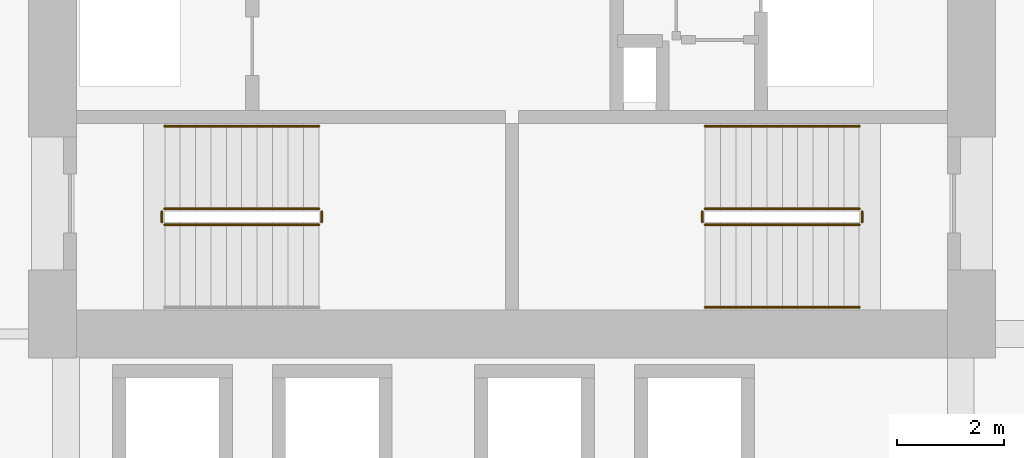
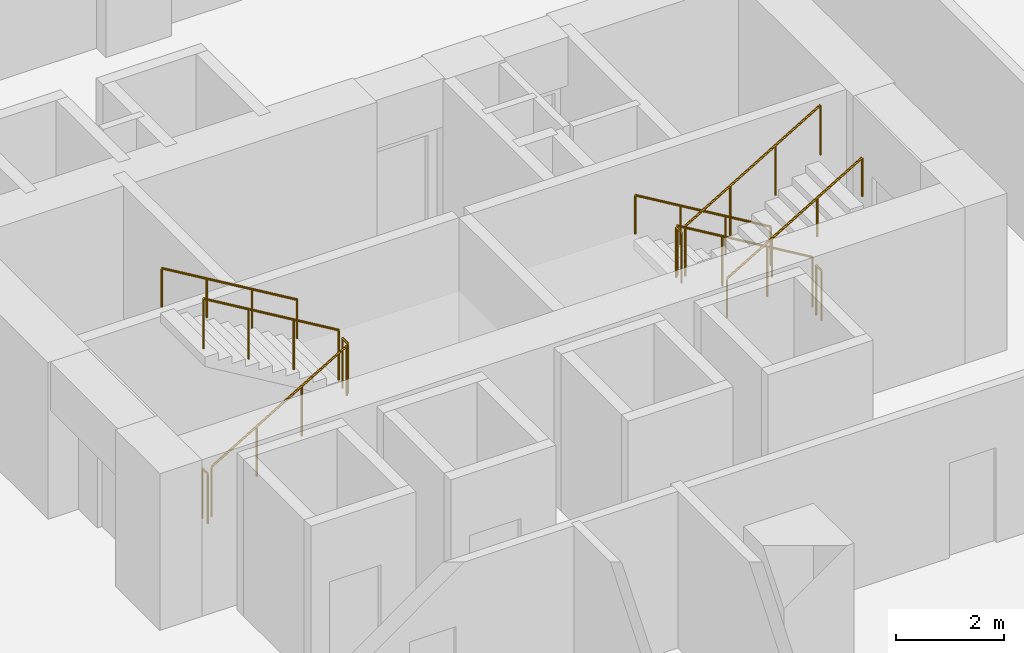
# One storey, part 24 of 26: 11 railings.
"""IFC4 building model written with IfcOpenShell, lengths in metres."""

from ifc_helpers import new_model, si_unit, direction, frame, origin, origin_2d, place, context, subcontext, project, spatial, circle, extrude, material, type_object, element, save


model = new_model("IFC4")

# Units and contexts
model_context = context("Model", 3, precision=1e-05, world=origin(), true_north=direction((0.0, 1.0)))
body_context = subcontext(model_context, "Body", "Model", "MODEL_VIEW")
ifc_project = project(units=[si_unit("LENGTHUNIT", "METRE"), si_unit("AREAUNIT", "SQUARE_METRE"), si_unit("VOLUMEUNIT", "CUBIC_METRE"), si_unit("PLANEANGLEUNIT", "RADIAN"), si_unit("MASSUNIT", "GRAM", prefix="KILO")], contexts=[model_context])

# Site, building, storey
site_placement = place(None, origin())
site = spatial("IfcSite", under=ifc_project, at=site_placement, CompositionType="ELEMENT")
building_placement = place(site_placement, origin())
building = spatial("IfcBuilding", under=site, at=building_placement, Name="Koriwani Terraces Tower", CompositionType="ELEMENT")
storey_placement = place(building_placement, frame((0.0, 0.0, 39.60009765625)))
storey = spatial("IfcBuildingStorey", under=building, at=storey_placement, Name="L08", CompositionType="ELEMENT", Elevation=39.60009765625)

# Railings
ifc_material = material(Name="Steel ASTM A572 Grade 50", Category="steel")
railing_type_1 = type_object("IfcRailingType", Name="GUARD_STAIR_WELL_1120", PredefinedType="GUARDRAIL", material=ifc_material)
railing_1_placement = place(storey_placement, frame((43.85009765625, 18.85009765625, 0.172607421875)))
element("IfcRailing", 1, at=railing_1_placement, inside=storey, type_object=railing_type_1, Name="L08 ST-E1 stair guard 1", PredefinedType="GUARDRAIL", context=body_context, shape_type="SweptSolid", body=[
    extrude(circle(Radius=0.02392578125, at=origin_2d()), frame((0.0, 0.0, 1.1259765625), z_axis=(0.859141464434, 0.0, 0.511738159696), x_axis=(0.0, 1.0, 0.0)), (0.0, 0.0, 1.0), 3.375244140625),
    extrude(circle(Radius=0.02099609375, at=origin_2d()), origin(), (0.0, 0.0, 1.0), 1.101806640625),
    extrude(circle(Radius=0.02099609375, at=origin_2d()), frame((0.966552734375, 0.0, 0.57568359375)), (0.0, 0.0, 1.0), 1.101806640625),
    extrude(circle(Radius=0.02099609375, at=origin_2d()), frame((1.933349609375, 0.0, 1.151611328125)), (0.0, 0.0, 1.0), 1.101806640625),
    extrude(circle(Radius=0.02099609375, at=origin_2d()), frame((2.89990234375, 0.0, 1.727294921875)), (0.0, 0.0, 1.0), 1.101806640625),
])
railing_2_placement = place(storey_placement, frame((46.800048828125, 18.89990234375, 1.89990234375)))
element("IfcRailing", 2, at=railing_2_placement, inside=storey, type_object=railing_type_1, Name="L08 ST-E1 stair guard 2", PredefinedType="GUARDRAIL", context=body_context, shape_type="SweptSolid", body=[
    extrude(circle(Radius=0.02392578125, at=origin_2d()), frame((0.0, 0.0, 1.1259765625), z_axis=(0.0, 1.0, 0.0), x_axis=(-1.0, 0.0, 0.0)), (0.0, 0.0, 1.0), 0.2001953125),
    extrude(circle(Radius=0.02099609375, at=origin_2d()), origin(), (0.0, 0.0, 1.0), 1.101806640625),
    extrude(circle(Radius=0.02099609375, at=origin_2d()), frame((0.0, 0.2001953125, 0.0)), (0.0, 0.0, 1.0), 1.101806640625),
])
railing_3_placement = place(storey_placement, frame((46.75, 19.14990234375, 2.072509765625)))
element("IfcRailing", 3, at=railing_3_placement, inside=storey, type_object=railing_type_1, Name="L08 ST-E1 stair guard 3", PredefinedType="GUARDRAIL", context=body_context, shape_type="SweptSolid", body=[
    extrude(circle(Radius=0.02392578125, at=origin_2d()), frame((0.0, 0.0, 1.1259765625), z_axis=(-0.859141464434, 0.0, 0.511738159696), x_axis=(0.0, -1.0, 0.0)), (0.0, 0.0, 1.0), 3.375244140625),
    extrude(circle(Radius=0.02099609375, at=origin_2d()), origin(), (0.0, 0.0, 1.0), 1.101806640625),
    extrude(circle(Radius=0.02099609375, at=origin_2d()), frame((-0.966552734375, 0.0, 0.57568359375)), (0.0, 0.0, 1.0), 1.101806640625),
    extrude(circle(Radius=0.02099609375, at=origin_2d()), frame((-1.933349609375, 0.0, 1.151611328125)), (0.0, 0.0, 1.0), 1.101806640625),
    extrude(circle(Radius=0.02099609375, at=origin_2d()), frame((-2.89990234375, 0.0, 1.727294921875)), (0.0, 0.0, 1.0), 1.101806640625),
])
railing_4_placement = place(storey_placement, frame((43.800048828125, 18.89990234375, 0.0)))
element("IfcRailing", 4, at=railing_4_placement, inside=storey, type_object=railing_type_1, Name="L08 ST-E1 stair guard 4", PredefinedType="GUARDRAIL", context=body_context, shape_type="SweptSolid", body=[
    extrude(circle(Radius=0.02392578125, at=origin_2d()), frame((0.0, 0.0, 1.1259765625), z_axis=(0.0, 1.0, 0.0), x_axis=(-1.0, 0.0, 0.0)), (0.0, 0.0, 1.0), 0.2001953125),
    extrude(circle(Radius=0.02099609375, at=origin_2d()), origin(), (0.0, 0.0, 1.0), 1.101806640625),
    extrude(circle(Radius=0.02099609375, at=origin_2d()), frame((0.0, 0.2001953125, 0.0)), (0.0, 0.0, 1.0), 1.101806640625),
])
railing_5_placement = place(storey_placement, frame((56.89990234375, 19.14990234375, 0.172607421875)))
element("IfcRailing", 5, at=railing_5_placement, inside=storey, type_object=railing_type_1, Name="L08 ST-E2 stair guard 1", PredefinedType="GUARDRAIL", context=body_context, shape_type="SweptSolid", body=[
    extrude(circle(Radius=0.02392578125, at=origin_2d()), frame((0.0, 0.0, 1.1259765625), z_axis=(-0.859141464434, 0.0, 0.511738159696), x_axis=(0.0, -1.0, 0.0)), (0.0, 0.0, 1.0), 3.375244140625),
    extrude(circle(Radius=0.02099609375, at=origin_2d()), origin(), (0.0, 0.0, 1.0), 1.101806640625),
    extrude(circle(Radius=0.02099609375, at=origin_2d()), frame((-0.966552734375, 0.0, 0.57568359375)), (0.0, 0.0, 1.0), 1.101806640625),
    extrude(circle(Radius=0.02099609375, at=origin_2d()), frame((-1.933349609375, 0.0, 1.151611328125)), (0.0, 0.0, 1.0), 1.101806640625),
    extrude(circle(Radius=0.02099609375, at=origin_2d()), frame((-2.89990234375, 0.0, 1.727294921875)), (0.0, 0.0, 1.0), 1.101806640625),
])
railing_6_placement = place(storey_placement, frame((53.949951171875, 19.10009765625, 1.89990234375)))
element("IfcRailing", 6, at=railing_6_placement, inside=storey, type_object=railing_type_1, Name="L08 ST-E2 stair guard 2", PredefinedType="GUARDRAIL", context=body_context, shape_type="SweptSolid", body=[
    extrude(circle(Radius=0.02392578125, at=origin_2d()), frame((0.0, 0.0, 1.1259765625), z_axis=(0.0, -1.0, 0.0), x_axis=(1.0, 0.0, 0.0)), (0.0, 0.0, 1.0), 0.2001953125),
    extrude(circle(Radius=0.02099609375, at=origin_2d()), origin(), (0.0, 0.0, 1.0), 1.101806640625),
    extrude(circle(Radius=0.02099609375, at=origin_2d()), frame((0.0, -0.2001953125, 0.0)), (0.0, 0.0, 1.0), 1.101806640625),
])
railing_7_placement = place(storey_placement, frame((54.0, 18.85009765625, 2.072509765625)))
element("IfcRailing", 7, at=railing_7_placement, inside=storey, type_object=railing_type_1, Name="L08 ST-E2 stair guard 3", PredefinedType="GUARDRAIL", context=body_context, shape_type="SweptSolid", body=[
    extrude(circle(Radius=0.02392578125, at=origin_2d()), frame((0.0, 0.0, 1.1259765625), z_axis=(0.859141464434, 0.0, 0.511738159696), x_axis=(0.0, 1.0, 0.0)), (0.0, 0.0, 1.0), 3.375244140625),
    extrude(circle(Radius=0.02099609375, at=origin_2d()), origin(), (0.0, 0.0, 1.0), 1.101806640625),
    extrude(circle(Radius=0.02099609375, at=origin_2d()), frame((0.966552734375, 0.0, 0.57568359375)), (0.0, 0.0, 1.0), 1.101806640625),
    extrude(circle(Radius=0.02099609375, at=origin_2d()), frame((1.933349609375, 0.0, 1.151611328125)), (0.0, 0.0, 1.0), 1.101806640625),
    extrude(circle(Radius=0.02099609375, at=origin_2d()), frame((2.89990234375, 0.0, 1.727294921875)), (0.0, 0.0, 1.0), 1.101806640625),
])
railing_8_placement = place(storey_placement, frame((56.949951171875, 19.10009765625, 0.0)))
element("IfcRailing", 8, at=railing_8_placement, inside=storey, type_object=railing_type_1, Name="L08 ST-E2 stair guard 4", PredefinedType="GUARDRAIL", context=body_context, shape_type="SweptSolid", body=[
    extrude(circle(Radius=0.02392578125, at=origin_2d()), frame((0.0, 0.0, 1.1259765625), z_axis=(0.0, -1.0, 0.0), x_axis=(1.0, 0.0, 0.0)), (0.0, 0.0, 1.0), 0.2001953125),
    extrude(circle(Radius=0.02099609375, at=origin_2d()), origin(), (0.0, 0.0, 1.0), 1.101806640625),
    extrude(circle(Radius=0.02099609375, at=origin_2d()), frame((0.0, -0.2001953125, 0.0)), (0.0, 0.0, 1.0), 1.101806640625),
])
railing_type_2 = type_object("IfcRailingType", Name="HANDRAIL_STAIR_920", PredefinedType="HANDRAIL", material=ifc_material)
for number, where, name in (
    (9, (46.75, 20.699951171875, 2.072509765625), "L08 ST-E1 stair handrail 2"),
    (10, (56.89990234375, 20.699951171875, 0.172607421875), "L08 ST-E2 stair handrail 1"),
):
    element("IfcRailing", number, at=place(storey_placement, frame(where)), inside=storey, type_object=railing_type_2, Name=name, PredefinedType="HANDRAIL", context=body_context, shape_type="SweptSolid", body=[
        extrude(circle(Radius=0.02392578125, at=origin_2d()), frame((0.0, 0.0, 0.8759765625), z_axis=(-0.859141464434, 0.0, 0.511738159696), x_axis=(0.0, -1.0, 0.0)), (0.0, 0.0, 1.0), 3.375244140625),
        extrude(circle(Radius=0.02099609375, at=origin_2d()), origin(), (0.0, 0.0, 1.0), 0.851806640625),
        extrude(circle(Radius=0.02099609375, at=origin_2d()), frame((-0.966552734375, 0.0, 0.57568359375)), (0.0, 0.0, 1.0), 0.851806640625),
        extrude(circle(Radius=0.02099609375, at=origin_2d()), frame((-1.933349609375, 0.0, 1.151611328125)), (0.0, 0.0, 1.0), 0.851806640625),
        extrude(circle(Radius=0.02099609375, at=origin_2d()), frame((-2.89990234375, 0.0, 1.727294921875)), (0.0, 0.0, 1.0), 0.851806640625),
    ])
railing_9_placement = place(storey_placement, frame((54.0, 17.300048828125, 2.072509765625)))
element("IfcRailing", 11, at=railing_9_placement, inside=storey, type_object=railing_type_2, Name="L08 ST-E2 stair handrail 2", PredefinedType="HANDRAIL", context=body_context, shape_type="SweptSolid", body=[
    extrude(circle(Radius=0.02392578125, at=origin_2d()), frame((0.0, 0.0, 0.8759765625), z_axis=(0.859141464434, 0.0, 0.511738159696), x_axis=(0.0, 1.0, 0.0)), (0.0, 0.0, 1.0), 3.375244140625),
    extrude(circle(Radius=0.02099609375, at=origin_2d()), origin(), (0.0, 0.0, 1.0), 0.851806640625),
    extrude(circle(Radius=0.02099609375, at=origin_2d()), frame((0.966552734375, 0.0, 0.57568359375)), (0.0, 0.0, 1.0), 0.851806640625),
    extrude(circle(Radius=0.02099609375, at=origin_2d()), frame((1.933349609375, 0.0, 1.151611328125)), (0.0, 0.0, 1.0), 0.851806640625),
    extrude(circle(Radius=0.02099609375, at=origin_2d()), frame((2.89990234375, 0.0, 1.727294921875)), (0.0, 0.0, 1.0), 0.851806640625),
])

save(model, "model.ifc")
